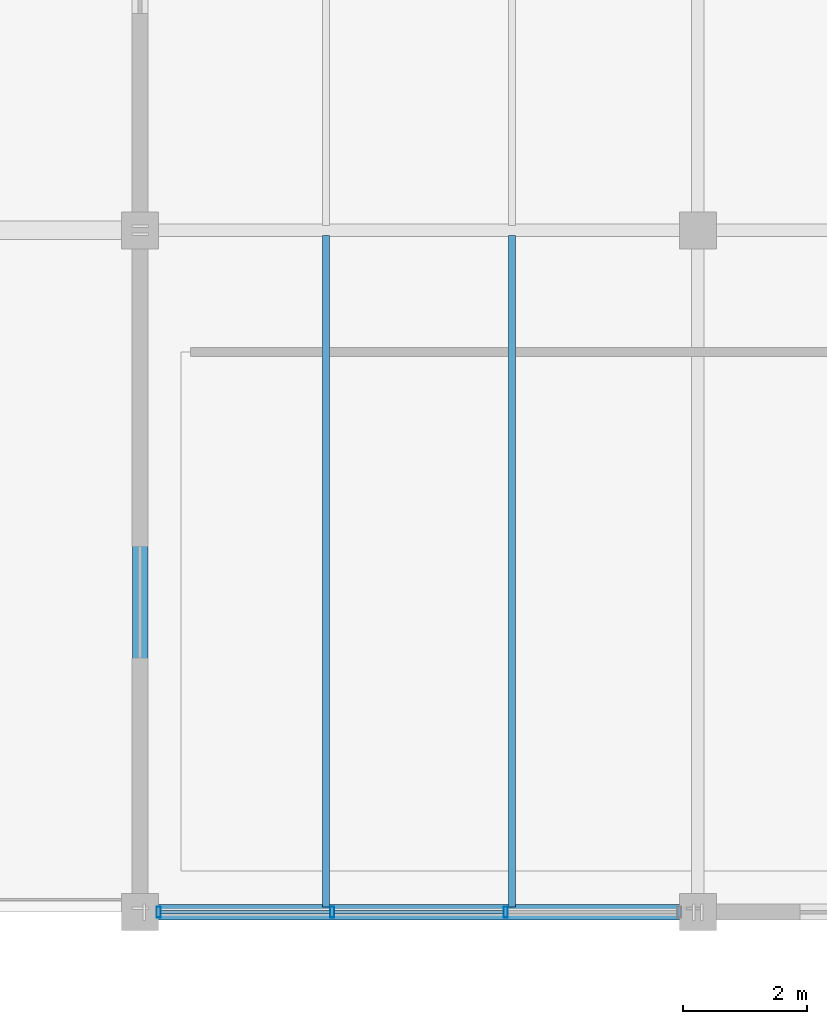
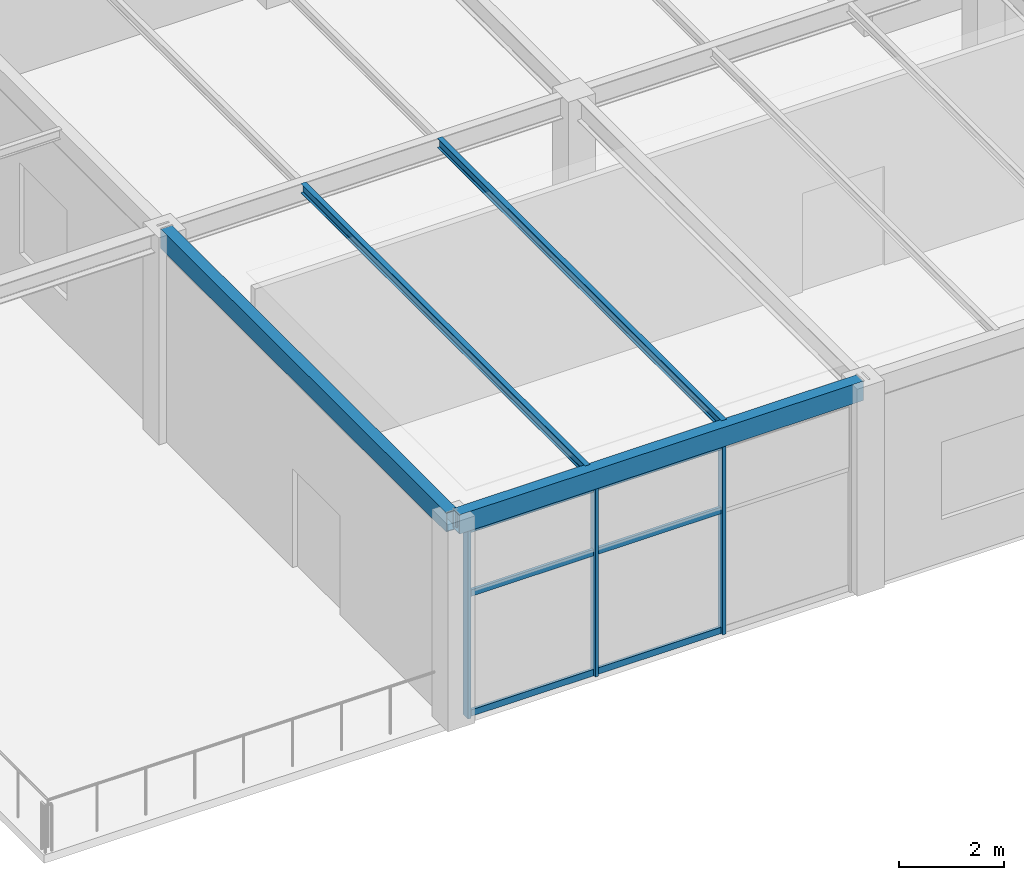
# One storey, part 49 of 143: 9 members, 4 beams, 1 element without a shape of its own.
"""IFC4 building model written with IfcOpenShell, lengths in metres."""

from ifc_helpers import new_model, si_unit, direction, frame, origin, origin_2d, place, context, subcontext, project, spatial, hollow_rectangle, i_section, extrude, material, layer, layer_set, material_profile, profile_set, type_object, element, aggregate, save


model = new_model("IFC4")

# Units and contexts
model_context = context("Model", 3, precision=1e-05, world=origin(), true_north=direction((0.0, 1.0)))
body_context = subcontext(model_context, "Body", "Model", "MODEL_VIEW")
ifc_project = project(units=[si_unit("LENGTHUNIT", "METRE"), si_unit("AREAUNIT", "SQUARE_METRE"), si_unit("VOLUMEUNIT", "CUBIC_METRE"), si_unit("PLANEANGLEUNIT", "RADIAN"), si_unit("MASSUNIT", "GRAM", prefix="KILO")], contexts=[model_context])

# Site, building, storey
site_placement = place(None, origin())
site = spatial("IfcSite", under=ifc_project, at=site_placement, CompositionType="ELEMENT")
building_placement = place(site_placement, origin())
building = spatial("IfcBuilding", under=site, at=building_placement, Name="Marlcrest Central Station", CompositionType="ELEMENT")
storey_placement = place(building_placement, frame((0.0, 0.0, 4.800048828125)))
storey = spatial("IfcBuildingStorey", under=building, at=storey_placement, Name="L01", CompositionType="ELEMENT", Elevation=4.800048828125)

# Beams
ifc_material_1 = material(Name="Steel S355", Category="steel")
ifc_material_profile_1 = material_profile(ifc_material_1, i_section(OverallWidth=0.110107421875, OverallDepth=0.219970703125, WebThickness=0.005859375, FlangeThickness=0.00927734375, FilletRadius=0.011962890625, at=origin_2d()), Name="IPE 220")
ifc_profile_set_1 = profile_set([ifc_material_profile_1], Name="Steel S355")
beam_type_1 = type_object("IfcBeamType", Name="JS-02", PredefinedType="JOIST", material=ifc_profile_set_1)
for number, where, z_axis, x_axis, name in (
    (1, (156.0, 0.0830078125, 4.704833984375), (0.0, 1.0, 0.0), (-1.0, 0.0, 0.0), "bm-JS-02-L01-00911"),
    (2, (159.0, 0.0830078125, 4.704833984375), (0.0, 1.0, 0.0), (-1.0, 0.0, 0.0), "bm-JS-02-L01-00914"),
):
    element("IfcBeam", number, at=place(storey_placement, frame(where, z_axis=z_axis, x_axis=x_axis)), inside=storey, type_object=beam_type_1, Name=name, PredefinedType="JOIST", context=body_context, shape_type="SweptSolid", body=[
        extrude(i_section(OverallWidth=0.110107421875, OverallDepth=0.219970703125, WebThickness=0.005859375, FlangeThickness=0.00927734375, FilletRadius=0.011962890625, at=origin_2d()), origin(), (0.0, 0.0, 1.0), 10.833984375),
    ])

# Curtain wall, members
ifc_material_2 = material(Name="Anodised aluminium and hurricane laminated glass", Category="aluminium")
ifc_layer = layer(ifc_material_2, 0.179931640625, Name="CW-S1")
ifc_layer_set = layer_set([ifc_layer], Name="Anodised aluminium and hurricane laminated glass")
curtain_wall_type = type_object("IfcCurtainWallType", Name="CW-S1", PredefinedType="USERDEFINED", material=ifc_layer_set)
curtain_wall_placement = place(storey_placement, origin())
curtain_wall = element("IfcCurtainWall", 3, at=curtain_wall_placement, inside=storey, type_object=curtain_wall_type, Name="cw-L01-0149", ObjectType="STICK_CURTAIN_WALL", PredefinedType="USERDEFINED")
ifc_material_3 = material(Name="Anodised aluminium 6063-T6", Category="aluminium")
ifc_material_profile_2 = material_profile(ifc_material_3, hollow_rectangle(XDim=0.070068359375, YDim=0.179931640625, WallThickness=0.0048828125, at=origin_2d()), Name="AA-RHS 180x70x5")
ifc_profile_set_2 = profile_set([ifc_material_profile_2], Name="Anodised aluminium 6063-T6")
member_type_1 = type_object("IfcMemberType", Name="ML-02", PredefinedType="MULLION", material=ifc_profile_set_2)
member_1_placement = place(storey_placement, frame((158.89990234375, 0.0, -0.030029296875), z_axis=(0.0, 0.0, 1.0), x_axis=(1.0, 0.0, 0.0)))
member_1 = element("IfcMember", 4, at=member_1_placement, type_object=member_type_1, Name="cw-L01-0149-ml-1", PredefinedType="MULLION", context=body_context, shape_type="SweptSolid", body=[
    extrude(hollow_rectangle(XDim=0.070068359375, YDim=0.179931640625, WallThickness=0.0048828125, at=origin_2d()), origin(), (0.0, 0.0, 1.0), 4.409912109375),
])
member_2_placement = place(storey_placement, frame((156.10009765625, 0.0, -0.030029296875), z_axis=(0.0, 0.0, 1.0), x_axis=(1.0, 0.0, 0.0)))
member_2 = element("IfcMember", 5, at=member_2_placement, type_object=member_type_1, Name="cw-L01-0149-ml-2", PredefinedType="MULLION", context=body_context, shape_type="SweptSolid", body=[
    extrude(hollow_rectangle(XDim=0.070068359375, YDim=0.179931640625, WallThickness=0.0048828125, at=origin_2d()), origin(), (0.0, 0.0, 1.0), 4.409912109375),
])
member_3_placement = place(storey_placement, frame((153.300048828125, 0.0, -0.030029296875), z_axis=(0.0, 0.0, 1.0), x_axis=(1.0, 0.0, 0.0)))
member_3 = element("IfcMember", 6, at=member_3_placement, type_object=member_type_1, Name="cw-L01-0149-ml-3", PredefinedType="MULLION", context=body_context, shape_type="SweptSolid", body=[
    extrude(hollow_rectangle(XDim=0.070068359375, YDim=0.179931640625, WallThickness=0.0048828125, at=origin_2d()), origin(), (0.0, 0.0, 1.0), 4.409912109375),
])

# Beams
ifc_material_profile_3 = material_profile(ifc_material_1, hollow_rectangle(XDim=0.25, YDim=0.449951171875, WallThickness=0.01611328125, at=origin_2d()), Name="RHS 450x250x16")
ifc_profile_set_3 = profile_set([ifc_material_profile_3], Name="Steel S355")
beam_type_2 = type_object("IfcBeamType", Name="SP-02", PredefinedType="SPANDREL", material=ifc_profile_set_3)
beam_1_placement = place(storey_placement, frame((153.06005859375, 0.0, 4.58984375), z_axis=(1.0, 0.0, 0.0), x_axis=(0.0, 1.0, 0.0)))
element("IfcBeam", 7, at=beam_1_placement, inside=storey, type_object=beam_type_2, Name="bm-SP-02-L01-00859", PredefinedType="SPANDREL", context=body_context, shape_type="SweptSolid", body=[
    extrude(hollow_rectangle(XDim=0.25, YDim=0.449951171875, WallThickness=0.01611328125, at=origin_2d()), origin(), (0.0, 0.0, 1.0), 8.8798828125),
])
beam_2_placement = place(storey_placement, frame((153.0, 0.06005859375, 4.58984375), z_axis=(0.0, 1.0, 0.0), x_axis=(-1.0, 0.0, 0.0)))
element("IfcBeam", 8, at=beam_2_placement, inside=storey, type_object=beam_type_2, Name="bm-SP-02-L01-00887", PredefinedType="SPANDREL", context=body_context, shape_type="SweptSolid", body=[
    extrude(hollow_rectangle(XDim=0.25, YDim=0.449951171875, WallThickness=0.01611328125, at=origin_2d()), origin(), (0.0, 0.0, 1.0), 10.8798828125),
])

# Member
ifc_material_profile_4 = material_profile(ifc_material_3, hollow_rectangle(XDim=0.06005859375, YDim=0.14990234375, WallThickness=0.00390625, at=origin_2d()), Name="AA-RHS 150x60x4")
ifc_profile_set_4 = profile_set([ifc_material_profile_4], Name="Anodised aluminium 6063-T6")
member_type_2 = type_object("IfcMemberType", Name="TR-01", PredefinedType="USERDEFINED", material=ifc_profile_set_4)
member_4_placement = place(storey_placement, frame((158.866943359375, 0.0, 0.0400390625), z_axis=(-1.0, 0.0, 0.0), x_axis=(0.0, -1.0, 0.0)))
member_4 = element("IfcMember", 9, at=member_4_placement, type_object=member_type_2, Name="cw-L01-0149-tr-1-sill", ObjectType="TRANSOM", PredefinedType="USERDEFINED", context=body_context, shape_type="SweptSolid", body=[
    extrude(hollow_rectangle(XDim=0.06005859375, YDim=0.14990234375, WallThickness=0.00390625, at=origin_2d()), origin(), (0.0, 0.0, 1.0), 2.73388671875),
])

member_5_placement = place(storey_placement, frame((158.866943359375, 0.0, 2.827880859375), z_axis=(-1.0, 0.0, 0.0), x_axis=(0.0, -1.0, 0.0)))
member_5 = element("IfcMember", 10, at=member_5_placement, type_object=member_type_2, Name="cw-L01-0149-tr-1-mid", ObjectType="TRANSOM", PredefinedType="USERDEFINED", context=body_context, shape_type="SweptSolid", body=[
    extrude(hollow_rectangle(XDim=0.06005859375, YDim=0.14990234375, WallThickness=0.00390625, at=origin_2d()), origin(), (0.0, 0.0, 1.0), 2.73388671875),
])

member_6_placement = place(storey_placement, frame((158.866943359375, 0.0, 4.31005859375), z_axis=(-1.0, 0.0, 0.0), x_axis=(0.0, -1.0, 0.0)))
member_6 = element("IfcMember", 11, at=member_6_placement, type_object=member_type_2, Name="cw-L01-0149-tr-1-head", ObjectType="TRANSOM", PredefinedType="USERDEFINED", context=body_context, shape_type="SweptSolid", body=[
    extrude(hollow_rectangle(XDim=0.06005859375, YDim=0.14990234375, WallThickness=0.00390625, at=origin_2d()), origin(), (0.0, 0.0, 1.0), 2.73388671875),
])

member_7_placement = place(storey_placement, frame((156.06689453125, 0.0, 0.0400390625), z_axis=(-1.0, 0.0, 0.0), x_axis=(0.0, -1.0, 0.0)))
member_7 = element("IfcMember", 12, at=member_7_placement, type_object=member_type_2, Name="cw-L01-0149-tr-2-sill", ObjectType="TRANSOM", PredefinedType="USERDEFINED", context=body_context, shape_type="SweptSolid", body=[
    extrude(hollow_rectangle(XDim=0.06005859375, YDim=0.14990234375, WallThickness=0.00390625, at=origin_2d()), origin(), (0.0, 0.0, 1.0), 2.73388671875),
])

member_8_placement = place(storey_placement, frame((156.06689453125, 0.0, 2.827880859375), z_axis=(-1.0, 0.0, 0.0), x_axis=(0.0, -1.0, 0.0)))
member_8 = element("IfcMember", 13, at=member_8_placement, type_object=member_type_2, Name="cw-L01-0149-tr-2-mid", ObjectType="TRANSOM", PredefinedType="USERDEFINED", context=body_context, shape_type="SweptSolid", body=[
    extrude(hollow_rectangle(XDim=0.06005859375, YDim=0.14990234375, WallThickness=0.00390625, at=origin_2d()), origin(), (0.0, 0.0, 1.0), 2.73388671875),
])

member_9_placement = place(storey_placement, frame((156.06689453125, 0.0, 4.31005859375), z_axis=(-1.0, 0.0, 0.0), x_axis=(0.0, -1.0, 0.0)))
member_9 = element("IfcMember", 14, at=member_9_placement, type_object=member_type_2, Name="cw-L01-0149-tr-2-head", ObjectType="TRANSOM", PredefinedType="USERDEFINED", context=body_context, shape_type="SweptSolid", body=[
    extrude(hollow_rectangle(XDim=0.06005859375, YDim=0.14990234375, WallThickness=0.00390625, at=origin_2d()), origin(), (0.0, 0.0, 1.0), 2.73388671875),
])

aggregate(curtain_wall, [member_1, member_2, member_3, member_4, member_5, member_6, member_7, member_8, member_9])

save(model, "model.ifc")
